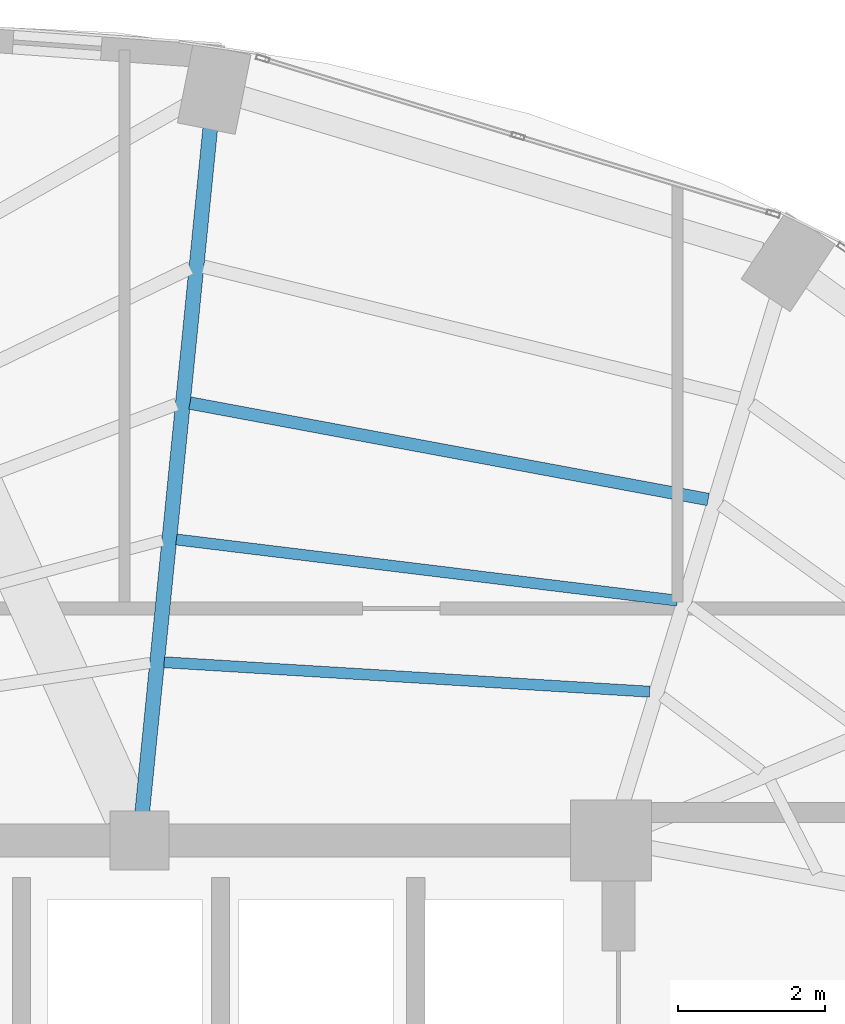
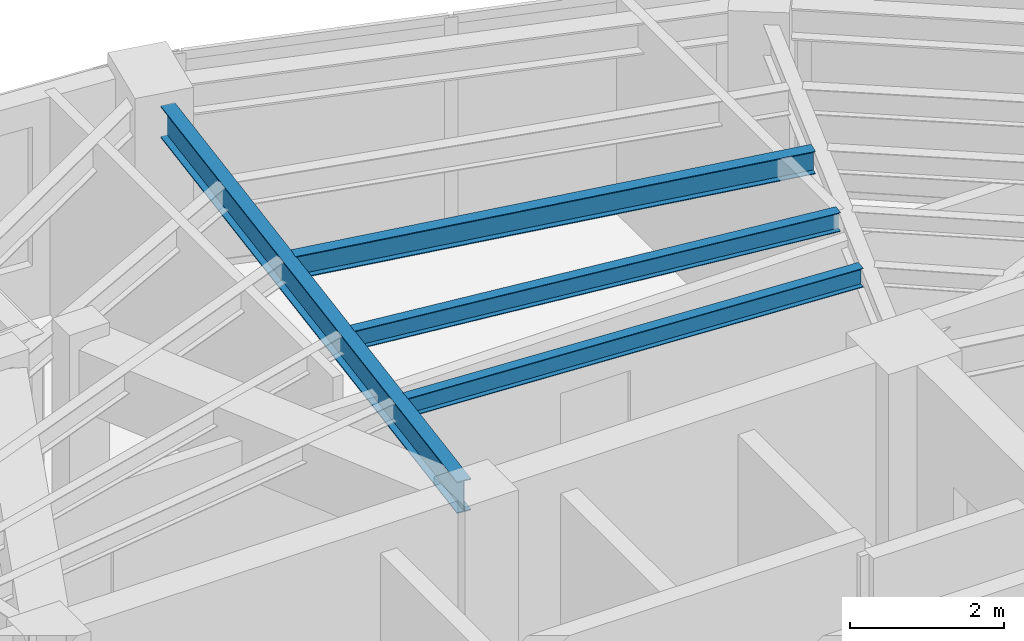
# One storey, part 12 of 22: 4 beams.
"""IFC4 building model written with IfcOpenShell, lengths in metres."""

from ifc_helpers import new_model, si_unit, direction, frame, origin, origin_2d, place, context, subcontext, project, spatial, i_section, extrude, material, material_profile, profile_set, type_object, element, save


model = new_model("IFC4")

# Units and contexts
model_context = context("Model", 3, precision=1e-05, world=origin(), true_north=direction((0.0, 1.0)))
body_context = subcontext(model_context, "Body", "Model", "MODEL_VIEW")
ifc_project = project(units=[si_unit("LENGTHUNIT", "METRE"), si_unit("AREAUNIT", "SQUARE_METRE"), si_unit("VOLUMEUNIT", "CUBIC_METRE"), si_unit("PLANEANGLEUNIT", "RADIAN"), si_unit("MASSUNIT", "GRAM", prefix="KILO")], contexts=[model_context])

# Site, building, storey
site_placement = place(None, origin())
site = spatial("IfcSite", under=ifc_project, at=site_placement, CompositionType="ELEMENT")
building_placement = place(site_placement, origin())
building = spatial("IfcBuilding", under=site, at=building_placement, Name="Lazwardi Medical Tower", CompositionType="ELEMENT")
storey_placement = place(building_placement, frame((0.0, 0.0, 238.60791015625)))
storey = spatial("IfcBuildingStorey", under=building, at=storey_placement, Name="L62", CompositionType="ELEMENT", Elevation=238.60791015625)

# Beams
ifc_material = material(Name="Steel S355", Category="steel")
ifc_material_profile_1 = material_profile(ifc_material, i_section(OverallWidth=0.199951171875, OverallDepth=0.5, WebThickness=0.01025390625, FlangeThickness=0.01611328125, at=origin_2d()), Name="IPE 500")
ifc_profile_set_1 = profile_set([ifc_material_profile_1], Name="Steel S355")
beam_type_1 = type_object("IfcBeamType", Name="BM-RG-W3", PredefinedType="BEAM", material=ifc_profile_set_1)
beam_1_placement = place(storey_placement, frame((40.1611328125, 45.265869140625, 3.197998046875), z_axis=(-0.098954361922, -0.995091972763, 0.0), x_axis=(0.995091972763, -0.098954361922, 0.0)))
element("IfcBeam", 1, at=beam_1_placement, inside=storey, type_object=beam_type_1, Name="Radial girder RG-04 R08 L62", PredefinedType="BEAM", context=body_context, shape_type="SweptSolid", body=[
    extrude(i_section(OverallWidth=0.199951171875, OverallDepth=0.5, WebThickness=0.01025390625, FlangeThickness=0.01611328125, at=origin_2d()), origin(), (0.0, 0.0, 1.0), 9.32861328125),
])
ifc_material_profile_2 = material_profile(ifc_material, i_section(OverallWidth=0.169921875, OverallDepth=0.360107421875, WebThickness=0.008056640625, FlangeThickness=0.0126953125, at=origin_2d()), Name="IPE 360")
ifc_profile_set_2 = profile_set([ifc_material_profile_2], Name="Steel S355")
beam_type_2 = type_object("IfcBeamType", Name="BM-SJ-02", PredefinedType="JOIST", material=ifc_profile_set_2)
beam_2_placement = place(storey_placement, frame((46.91552734375, 40.2275390625, 3.26806640625), z_axis=(-0.983132476587, 0.182894870019, 0.0), x_axis=(-0.182894870019, -0.983132476587, 0.0)))
element("IfcBeam", 2, at=beam_2_placement, inside=storey, type_object=beam_type_2, Name="Secondary joist SJ-02 R2 B07 L62", PredefinedType="JOIST", context=body_context, shape_type="SweptSolid", body=[
    extrude(i_section(OverallWidth=0.169921875, OverallDepth=0.360107421875, WebThickness=0.008056640625, FlangeThickness=0.0126953125, at=origin_2d()), origin(), (0.0, 0.0, 1.0), 7.15087890625),
])
ifc_material_profile_3 = material_profile(ifc_material, i_section(OverallWidth=0.14990234375, OverallDepth=0.300048828125, WebThickness=0.007080078125, FlangeThickness=0.0107421875, at=origin_2d()), Name="IPE 300")
ifc_profile_set_3 = profile_set([ifc_material_profile_3], Name="Steel S355")
beam_type_3 = type_object("IfcBeamType", Name="BM-SJ-03", PredefinedType="JOIST", material=ifc_profile_set_3)
beam_3_placement = place(storey_placement, frame((46.4970703125, 38.85546875, 3.298095703125), z_axis=(-0.992634689535, 0.121146081783, 0.0), x_axis=(-0.121146081783, -0.992634689535, 0.0)))
element("IfcBeam", 3, at=beam_3_placement, inside=storey, type_object=beam_type_3, Name="Secondary joist SJ-03 R3 B07 L62", PredefinedType="JOIST", context=body_context, shape_type="SweptSolid", body=[
    extrude(i_section(OverallWidth=0.14990234375, OverallDepth=0.300048828125, WebThickness=0.007080078125, FlangeThickness=0.0107421875, at=origin_2d()), origin(), (0.0, 0.0, 1.0), 6.845947265625),
])
beam_4_placement = place(storey_placement, frame((46.120849609375, 37.6201171875, 3.298095703125), z_axis=(-0.998165515862, 0.060544223044, 0.0), x_axis=(-0.060544223044, -0.998165515862, 0.0)))
element("IfcBeam", 4, at=beam_4_placement, inside=storey, type_object=beam_type_3, Name="Secondary joist SJ-03 R4 B07 L62", PredefinedType="JOIST", context=body_context, shape_type="SweptSolid", body=[
    extrude(i_section(OverallWidth=0.14990234375, OverallDepth=0.300048828125, WebThickness=0.007080078125, FlangeThickness=0.0107421875, at=origin_2d()), origin(), (0.0, 0.0, 1.0), 6.59716796875),
])

save(model, "model.ifc")
